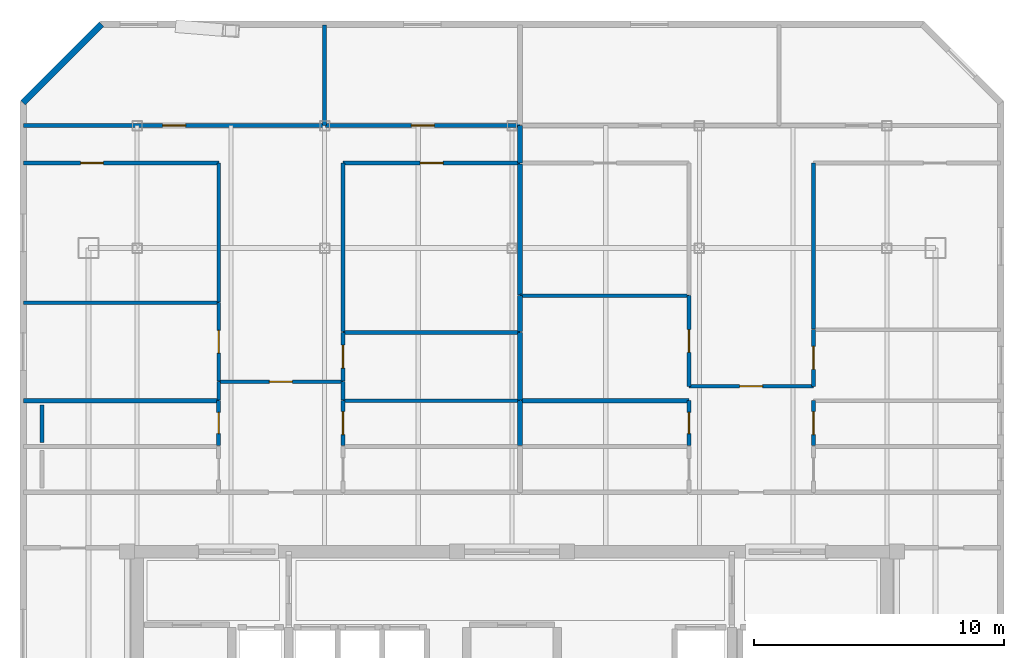
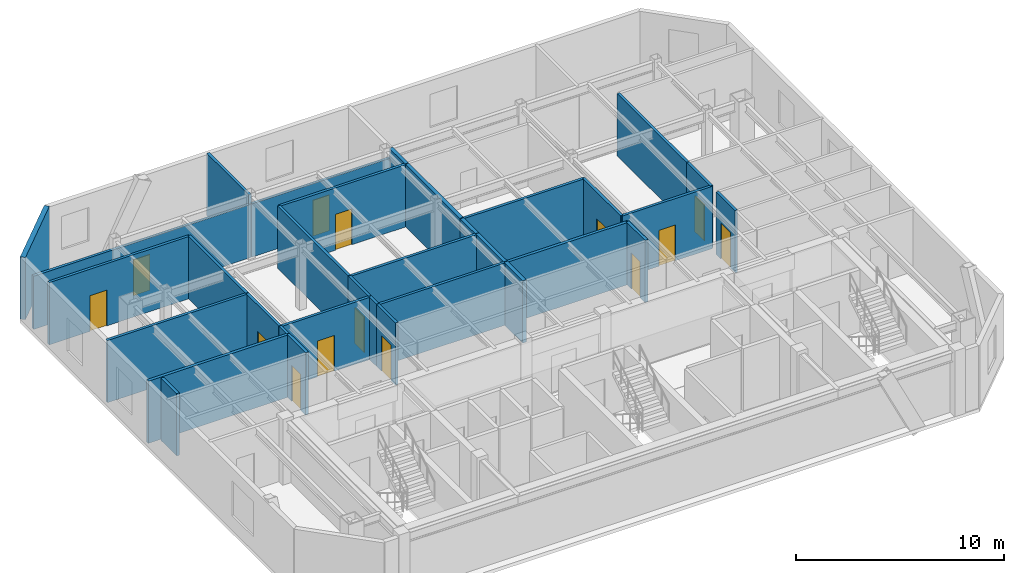
# One storey, part 4 of 7: 33 walls, 14 doors, 14 openings.
"""IFC4 building model written with IfcOpenShell, lengths in metres."""

from ifc_helpers import new_model, si_unit, direction, frame, frame_2d, origin, place, context, subcontext, project, spatial, rectangle, extrude, material, layer, layer_set, type_object, element, fill, save


model = new_model("IFC4")

# Units and contexts
model_context = context("Model", 3, precision=1e-05, world=origin(), true_north=direction((0.0, 1.0)))
body_context = subcontext(model_context, "Body", "Model", "MODEL_VIEW")
ifc_project = project(units=[si_unit("LENGTHUNIT", "METRE"), si_unit("AREAUNIT", "SQUARE_METRE"), si_unit("VOLUMEUNIT", "CUBIC_METRE"), si_unit("PLANEANGLEUNIT", "RADIAN"), si_unit("MASSUNIT", "GRAM", prefix="KILO")], contexts=[model_context])

# Site, building, storey
site_placement = place(None, origin())
site = spatial("IfcSite", under=ifc_project, at=site_placement, CompositionType="ELEMENT")
building_placement = place(site_placement, origin())
building = spatial("IfcBuilding", under=site, at=building_placement, Name="Ventersveld Concourse Tower", CompositionType="ELEMENT")
storey_placement = place(building_placement, frame((0.0, 0.0, 320.75)))
storey = spatial("IfcBuildingStorey", under=building, at=storey_placement, Name="L79", CompositionType="ELEMENT", Elevation=320.75)

# Walls
ifc_material_1 = material(Name="Fire-rated autoclaved aerated masonry blockwork", Category="masonry")
ifc_layer_1 = layer(ifc_material_1, 0.199951171875)
ifc_layer_set_1 = layer_set([ifc_layer_1], Name="Fire-rated autoclaved aerated masonry blockwork")
wall_type_1 = type_object("IfcWallType", Name="WL-DEMISE-200", PredefinedType="PARTITIONING", material=ifc_layer_set_1)
wall_1_placement = place(storey_placement, frame((29.072021484375, 26.9951171875, 0.0), z_axis=(0.0, 0.0, 1.0), x_axis=(0.0, 1.0, 0.0)))
element("IfcWall", 1, at=wall_1_placement, inside=storey, type_object=wall_type_1, Name="L79 Interior Partition SP-L79-79N1-LIV-SP-L79-79N2-LIV", PredefinedType="PARTITIONING", context=body_context, shape_type="SweptSolid", body=[
    extrude(rectangle(XDim=1.509765625, YDim=0.199951171875, at=frame_2d((0.7548828125, 0.0))), origin(), (0.0, 0.0, 1.0), 3.64990234375),
])
wall_2_placement = place(storey_placement, frame((29.072021484375, 15.695068359375, 0.0), z_axis=(0.0, 0.0, 1.0), x_axis=(0.0, 1.0, 0.0)))
element("IfcWall", 2, at=wall_2_placement, inside=storey, type_object=wall_type_1, Name="L79 Interior Partition SP-L79-79N1-PANR1-SP-L79-79N2-PWDL4", PredefinedType="PARTITIONING", context=body_context, shape_type="SweptSolid", body=[
    extrude(rectangle(XDim=1.800048828125, YDim=0.199951171875, at=frame_2d((0.89990234375, 0.0))), origin(), (0.0, 0.0, 1.0), 3.64990234375),
])
wall_3_placement = place(storey_placement, frame((29.072021484375, 17.52490234375, 0.0), z_axis=(0.0, 0.0, 1.0), x_axis=(0.0, 1.0, 0.0)))
element("IfcWall", 3, at=wall_3_placement, inside=storey, type_object=wall_type_1, Name="L79 Interior Partition SP-L79-79N1-SEMR3-SP-L79-79N2-OFFL0", PredefinedType="PARTITIONING", context=body_context, shape_type="SweptSolid", body=[
    extrude(rectangle(XDim=2.704345703125, YDim=0.199951171875, at=frame_2d((1.35205078125, 0.0))), origin(), (0.0, 0.0, 1.0), 3.64990234375),
])
wall_4_placement = place(storey_placement, frame((29.072021484375, 20.25927734375, 0.0), z_axis=(0.0, 0.0, 1.0), x_axis=(0.0, 1.0, 0.0)))
element("IfcWall", 4, at=wall_4_placement, inside=storey, type_object=wall_type_1, Name="L79 Interior Partition SP-L79-79N1-DENS2-SP-L79-79N2-OFFL0", PredefinedType="PARTITIONING", context=body_context, shape_type="SweptSolid", body=[
    extrude(rectangle(XDim=1.435791015625, YDim=0.199951171875, at=frame_2d((0.7177734375, 0.0))), origin(), (0.0, 0.0, 1.0), 3.64990234375),
])
wall_5_placement = place(storey_placement, frame((29.072021484375, 21.72509765625, 0.0), z_axis=(0.0, 0.0, 1.0), x_axis=(0.0, 1.0, 0.0)))
element("IfcWall", 5, at=wall_5_placement, inside=storey, type_object=wall_type_1, Name="L79 Interior Partition SP-L79-79N1-DENS2-SP-L79-79N2-MEDL2", PredefinedType="PARTITIONING", context=body_context, shape_type="SweptSolid", body=[
    extrude(rectangle(XDim=5.239990234375, YDim=0.199951171875, at=frame_2d((2.6201171875, 0.0))), origin(), (0.0, 0.0, 1.0), 3.64990234375),
])

# Wall, opening, door
ifc_material_2 = material(Name="Autoclaved aerated masonry blockwork", Category="masonry")
ifc_layer_2 = layer(ifc_material_2, 0.14990234375)
ifc_layer_set_2 = layer_set([ifc_layer_2], Name="Autoclaved aerated masonry blockwork")
wall_type_2 = type_object("IfcWallType", Name="WL-INT-150", PredefinedType="PARTITIONING", material=ifc_layer_set_2)
wall_6_placement = place(storey_placement, frame((17.007568359375, 18.248779296875, 0.0), z_axis=(0.0, 0.0, 1.0), x_axis=(1.0, 0.0, 0.0)))
wall_6 = element("IfcWall", 6, at=wall_6_placement, inside=storey, type_object=wall_type_2, Name="L79 Interior Partition SP-L79-79N1-FOY-SP-L79-79N1-LIV", PredefinedType="PARTITIONING", context=body_context, shape_type="SweptSolid", body=[
    extrude(rectangle(XDim=4.989990234375, YDim=0.14990234375, at=frame_2d((2.4951171875, 0.0))), origin(), (0.0, 0.0, 1.0), 3.64990234375),
])
opening_1_placement = place(wall_6_placement, frame((2.034912109375, 0.0, 0.0)))
opening_1 = element("IfcOpeningElement", 7, at=opening_1_placement, cuts=wall_6, Name="Opening ID1", PredefinedType="OPENING", context=body_context, shape_type="SweptSolid", body=[
    extrude(rectangle(XDim=0.919921875, YDim=2.10009765625, at=frame_2d((0.4599609375, 1.050048828125))), frame((0.0, 0.0849609375, 0.0), z_axis=(0.0, -1.0, 0.0), x_axis=(1.0, 0.0, 0.0)), (0.0, 0.0, 1.0), 0.169921875),
])
ifc_material_3 = material(Name="Solid-core hardwood veneer timber", Category="wood")
door_type_1 = type_object("IfcDoorType", Name="DR-ROOM-092", OperationType="NOTDEFINED", PredefinedType="DOOR", material=ifc_material_3)
door_1_placement = place(opening_1_placement, origin())
door_1 = element("IfcDoor", 8, at=door_1_placement, inside=storey, type_object=door_type_1, Name="L79 Interior Door SP-L79-79N1-FOY to SP-L79-79N1-LIV (D-L79-3606)", OperationType="SINGLE_SWING_RIGHT", OverallHeight=2.10009765625, OverallWidth=0.919921875, PredefinedType="DOOR", context=body_context, shape_type="SweptSolid", body=[
    extrude(rectangle(XDim=0.919921875, YDim=2.10009765625, at=frame_2d((0.4599609375, 1.050048828125))), frame((0.0, 0.02490234375, 0.0), z_axis=(0.0, -1.0, 0.0), x_axis=(1.0, 0.0, 0.0)), (0.0, 0.0, 1.0), 0.050048828125),
])
fill(opening_1, door_1)

# Wall
wall_7_placement = place(storey_placement, frame((17.0126953125, 17.52490234375, 0.0), z_axis=(0.0, 0.0, 1.0), x_axis=(0.0, 1.0, 0.0)))
element("IfcWall", 9, at=wall_7_placement, inside=storey, type_object=wall_type_2, Name="L79 Interior Partition SP-L79-79N1-FOY-SP-L79-79N1-OFFL0", PredefinedType="PARTITIONING", context=body_context, shape_type="SweptSolid", body=[
    extrude(rectangle(XDim=0.728759765625, YDim=0.14990234375, at=frame_2d((0.3642578125, 0.0))), origin(), (0.0, 0.0, 1.0), 3.64990234375),
])

# Wall, opening, door
wall_8_placement = place(storey_placement, frame((21.99267578125, 15.695068359375, 0.0), z_axis=(0.0, 0.0, 1.0), x_axis=(0.0, 1.0, 0.0)))
wall_8 = element("IfcWall", 10, at=wall_8_placement, inside=storey, type_object=wall_type_2, Name="L79 Interior Partition SP-L79-79N1-FOY-SP-L79-79N1-PANR1", PredefinedType="PARTITIONING", context=body_context, shape_type="SweptSolid", body=[
    extrude(rectangle(XDim=1.800048828125, YDim=0.14990234375, at=frame_2d((0.89990234375, 0.0))), origin(), (0.0, 0.0, 1.0), 3.64990234375),
])
opening_2_placement = place(wall_8_placement, frame((0.43994140625, 0.0, 0.0)))
opening_2 = element("IfcOpeningElement", 11, at=opening_2_placement, cuts=wall_8, Name="Opening ID1", PredefinedType="OPENING", context=body_context, shape_type="SweptSolid", body=[
    extrude(rectangle(XDim=0.919921875, YDim=2.10009765625, at=frame_2d((0.4599609375, 1.050048828125))), frame((0.0, 0.0849609375, 0.0), z_axis=(0.0, -1.0, 0.0), x_axis=(1.0, 0.0, 0.0)), (0.0, 0.0, 1.0), 0.169921875),
])
door_2_placement = place(opening_2_placement, origin())
door_2 = element("IfcDoor", 12, at=door_2_placement, inside=storey, type_object=door_type_1, Name="L79 Interior Door SP-L79-79N1-FOY to SP-L79-79N1-PANR1 (D-L79-3610)", OperationType="SINGLE_SWING_RIGHT", OverallHeight=2.10009765625, OverallWidth=0.919921875, PredefinedType="DOOR", context=body_context, shape_type="SweptSolid", body=[
    extrude(rectangle(XDim=0.919921875, YDim=2.10009765625, at=frame_2d((0.4599609375, 1.050048828125))), frame((0.0, 0.02490234375, 0.0), z_axis=(0.0, -1.0, 0.0), x_axis=(1.0, 0.0, 0.0)), (0.0, 0.0, 1.0), 0.050048828125),
])
fill(opening_2, door_2)

# Wall
wall_9_placement = place(storey_placement, frame((21.99267578125, 17.52490234375, 0.0), z_axis=(0.0, 0.0, 1.0), x_axis=(0.0, 1.0, 0.0)))
element("IfcWall", 13, at=wall_9_placement, inside=storey, type_object=wall_type_2, Name="L79 Interior Partition SP-L79-79N1-FOY-SP-L79-79N1-SEMR3", PredefinedType="PARTITIONING", context=body_context, shape_type="SweptSolid", body=[
    extrude(rectangle(XDim=0.728759765625, YDim=0.14990234375, at=frame_2d((0.3642578125, 0.0))), origin(), (0.0, 0.0, 1.0), 3.64990234375),
])

# Wall, opening, door
wall_10_placement = place(storey_placement, frame((17.0126953125, 18.28369140625, 0.0), z_axis=(0.0, 0.0, 1.0), x_axis=(0.0, 1.0, 0.0)))
wall_10 = element("IfcWall", 14, at=wall_10_placement, inside=storey, type_object=wall_type_2, Name="L79 Interior Partition SP-L79-79N1-LIV-SP-L79-79N1-OFFL0", PredefinedType="PARTITIONING", context=body_context, shape_type="SweptSolid", body=[
    extrude(rectangle(XDim=3.1337890625, YDim=0.14990234375, at=frame_2d((1.56689453125, 0.0))), origin(), (0.0, 0.0, 1.0), 3.64990234375),
])
opening_3_placement = place(wall_10_placement, frame((1.10693359375, 0.0, 0.0)))
opening_3 = element("IfcOpeningElement", 15, at=opening_3_placement, cuts=wall_10, Name="Opening ID1", PredefinedType="OPENING", context=body_context, shape_type="SweptSolid", body=[
    extrude(rectangle(XDim=0.919921875, YDim=2.10009765625, at=frame_2d((0.4599609375, 1.050048828125))), frame((0.0, 0.0849609375, 0.0), z_axis=(0.0, -1.0, 0.0), x_axis=(1.0, 0.0, 0.0)), (0.0, 0.0, 1.0), 0.169921875),
])
door_3_placement = place(opening_3_placement, origin())
door_3 = element("IfcDoor", 16, at=door_3_placement, inside=storey, type_object=door_type_1, Name="L79 Interior Door SP-L79-79N1-LIV to SP-L79-79N1-OFFL0 (D-L79-3611)", OperationType="SINGLE_SWING_LEFT", OverallHeight=2.10009765625, OverallWidth=0.919921875, PredefinedType="DOOR", context=body_context, shape_type="SweptSolid", body=[
    extrude(rectangle(XDim=0.919921875, YDim=2.10009765625, at=frame_2d((0.4599609375, 1.050048828125))), frame((0.0, 0.02490234375, 0.0), z_axis=(0.0, -1.0, 0.0), x_axis=(1.0, 0.0, 0.0)), (0.0, 0.0, 1.0), 0.050048828125),
])
fill(opening_3, door_3)

wall_11_placement = place(storey_placement, frame((9.213623046875, 27.0, 0.0), z_axis=(0.0, 0.0, 1.0), x_axis=(1.0, 0.0, 0.0)))
wall_11 = element("IfcWall", 17, at=wall_11_placement, inside=storey, type_object=wall_type_2, Name="L79 Interior Partition SP-L79-79N1-LIV-SP-L79-79N1-MEDL2", PredefinedType="PARTITIONING", context=body_context, shape_type="SweptSolid", body=[
    extrude(rectangle(XDim=7.803955078125, YDim=0.14990234375, at=frame_2d((3.90185546875, 0.0))), origin(), (0.0, 0.0, 1.0), 3.64990234375),
])
opening_4_placement = place(wall_11_placement, frame((2.271484375, 0.0, 0.0)))
opening_4 = element("IfcOpeningElement", 18, at=opening_4_placement, cuts=wall_11, Name="Opening ID1", PredefinedType="OPENING", context=body_context, shape_type="SweptSolid", body=[
    extrude(rectangle(XDim=0.919921875, YDim=2.10009765625, at=frame_2d((0.4599609375, 1.050048828125))), frame((0.0, 0.0849609375, 0.0), z_axis=(0.0, -1.0, 0.0), x_axis=(1.0, 0.0, 0.0)), (0.0, 0.0, 1.0), 0.169921875),
])
door_4_placement = place(opening_4_placement, origin())
door_4 = element("IfcDoor", 19, at=door_4_placement, inside=storey, type_object=door_type_1, Name="L79 Interior Door SP-L79-79N1-LIV to SP-L79-79N1-MEDL2 (D-L79-3612)", OperationType="SINGLE_SWING_RIGHT", OverallHeight=2.10009765625, OverallWidth=0.919921875, PredefinedType="DOOR", context=body_context, shape_type="SweptSolid", body=[
    extrude(rectangle(XDim=0.919921875, YDim=2.10009765625, at=frame_2d((0.4599609375, 1.050048828125))), frame((0.0, 0.02490234375, 0.0), z_axis=(0.0, -1.0, 0.0), x_axis=(1.0, 0.0, 0.0)), (0.0, 0.0, 1.0), 0.050048828125),
])
fill(opening_4, door_4)

# Wall
wall_12_placement = place(storey_placement, frame((17.0126953125, 21.447509765625, 0.0), z_axis=(0.0, 0.0, 1.0), x_axis=(0.0, 1.0, 0.0)))
element("IfcWall", 20, at=wall_12_placement, inside=storey, type_object=wall_type_2, Name="L79 Interior Partition SP-L79-79N1-LIV-SP-L79-79N1-MEDL2", PredefinedType="PARTITIONING", context=body_context, shape_type="SweptSolid", body=[
    extrude(rectangle(XDim=5.557373046875, YDim=0.14990234375, at=frame_2d((2.77880859375, 0.0))), origin(), (0.0, 0.0, 1.0), 3.64990234375),
])

# Wall, opening, door
wall_13_placement = place(storey_placement, frame((21.99267578125, 18.28369140625, 0.0), z_axis=(0.0, 0.0, 1.0), x_axis=(0.0, 1.0, 0.0)))
wall_13 = element("IfcWall", 21, at=wall_13_placement, inside=storey, type_object=wall_type_2, Name="L79 Interior Partition SP-L79-79N1-LIV-SP-L79-79N1-SEMR3", PredefinedType="PARTITIONING", context=body_context, shape_type="SweptSolid", body=[
    extrude(rectangle(XDim=1.945556640625, YDim=0.14990234375, at=frame_2d((0.97265625, 0.0))), origin(), (0.0, 0.0, 1.0), 3.64990234375),
])
opening_5_placement = place(wall_13_placement, frame((0.5126953125, 0.0, 0.0)))
opening_5 = element("IfcOpeningElement", 22, at=opening_5_placement, cuts=wall_13, Name="Opening ID1", PredefinedType="OPENING", context=body_context, shape_type="SweptSolid", body=[
    extrude(rectangle(XDim=0.919921875, YDim=2.10009765625, at=frame_2d((0.4599609375, 1.050048828125))), frame((0.0, 0.0849609375, 0.0), z_axis=(0.0, -1.0, 0.0), x_axis=(1.0, 0.0, 0.0)), (0.0, 0.0, 1.0), 0.169921875),
])
door_5_placement = place(opening_5_placement, origin())
door_5 = element("IfcDoor", 23, at=door_5_placement, inside=storey, type_object=door_type_1, Name="L79 Interior Door SP-L79-79N1-LIV to SP-L79-79N1-SEMR3 (D-L79-3613)", OperationType="SINGLE_SWING_LEFT", OverallHeight=2.10009765625, OverallWidth=0.919921875, PredefinedType="DOOR", context=body_context, shape_type="SweptSolid", body=[
    extrude(rectangle(XDim=0.919921875, YDim=2.10009765625, at=frame_2d((0.4599609375, 1.050048828125))), frame((0.0, 0.02490234375, 0.0), z_axis=(0.0, -1.0, 0.0), x_axis=(1.0, 0.0, 0.0)), (0.0, 0.0, 1.0), 0.050048828125),
])
fill(opening_5, door_5)

wall_14_placement = place(storey_placement, frame((21.987548828125, 27.0, 0.0), z_axis=(0.0, 0.0, 1.0), x_axis=(1.0, 0.0, 0.0)))
wall_14 = element("IfcWall", 24, at=wall_14_placement, inside=storey, type_object=wall_type_2, Name="L79 Interior Partition SP-L79-79N1-LIV-SP-L79-79N1-DENS2", PredefinedType="PARTITIONING", context=body_context, shape_type="SweptSolid", body=[
    extrude(rectangle(XDim=7.08935546875, YDim=0.14990234375, at=frame_2d((3.544677734375, 0.0))), origin(), (0.0, 0.0, 1.0), 3.64990234375),
])
opening_6_placement = place(wall_14_placement, frame((3.084716796875, 0.0, 0.0)))
opening_6 = element("IfcOpeningElement", 25, at=opening_6_placement, cuts=wall_14, Name="Opening ID1", PredefinedType="OPENING", context=body_context, shape_type="SweptSolid", body=[
    extrude(rectangle(XDim=0.919921875, YDim=2.10009765625, at=frame_2d((0.4599609375, 1.050048828125))), frame((0.0, 0.0849609375, 0.0), z_axis=(0.0, -1.0, 0.0), x_axis=(1.0, 0.0, 0.0)), (0.0, 0.0, 1.0), 0.169921875),
])
door_6_placement = place(opening_6_placement, origin())
door_6 = element("IfcDoor", 26, at=door_6_placement, inside=storey, type_object=door_type_1, Name="L79 Interior Door SP-L79-79N1-LIV to SP-L79-79N1-DENS2 (D-L79-3614)", OperationType="SINGLE_SWING_RIGHT", OverallHeight=2.10009765625, OverallWidth=0.919921875, PredefinedType="DOOR", context=body_context, shape_type="SweptSolid", body=[
    extrude(rectangle(XDim=0.919921875, YDim=2.10009765625, at=frame_2d((0.4599609375, 1.050048828125))), frame((0.0, 0.02490234375, 0.0), z_axis=(0.0, -1.0, 0.0), x_axis=(1.0, 0.0, 0.0)), (0.0, 0.0, 1.0), 0.050048828125),
])
fill(opening_6, door_6)

# Wall
wall_15_placement = place(storey_placement, frame((21.99267578125, 20.25927734375, 0.0), z_axis=(0.0, 0.0, 1.0), x_axis=(0.0, 1.0, 0.0)))
element("IfcWall", 27, at=wall_15_placement, inside=storey, type_object=wall_type_2, Name="L79 Interior Partition SP-L79-79N1-LIV-SP-L79-79N1-DENS2", PredefinedType="PARTITIONING", context=body_context, shape_type="SweptSolid", body=[
    extrude(rectangle(XDim=6.74560546875, YDim=0.14990234375, at=frame_2d((3.372802734375, 0.0))), origin(), (0.0, 0.0, 1.0), 3.64990234375),
])

# Wall, opening, door
wall_16_placement = place(storey_placement, frame((9.213623046875, 28.5, 0.0), z_axis=(0.0, 0.0, 1.0), x_axis=(1.0, 0.0, 0.0)))
wall_16 = element("IfcWall", 28, at=wall_16_placement, inside=storey, type_object=wall_type_2, Name="L79 Interior Partition SP-L79-79N1-LIV-SP-L79-79N1-BR1", PredefinedType="PARTITIONING", context=body_context, shape_type="SweptSolid", body=[
    extrude(rectangle(XDim=12.041259765625, YDim=0.14990234375, at=frame_2d((6.0205078125, 0.0))), origin(), (0.0, 0.0, 1.0), 3.116943359375),
])
opening_7_placement = place(wall_16_placement, frame((5.560791015625, 0.0, 0.0)))
opening_7 = element("IfcOpeningElement", 29, at=opening_7_placement, cuts=wall_16, Name="Opening ID1", PredefinedType="OPENING", context=body_context, shape_type="SweptSolid", body=[
    extrude(rectangle(XDim=0.919921875, YDim=2.10009765625, at=frame_2d((0.4599609375, 1.050048828125))), frame((0.0, 0.0849609375, 0.0), z_axis=(0.0, -1.0, 0.0), x_axis=(1.0, 0.0, 0.0)), (0.0, 0.0, 1.0), 0.169921875),
])
door_7_placement = place(opening_7_placement, origin())
door_7 = element("IfcDoor", 30, at=door_7_placement, inside=storey, type_object=door_type_1, Name="L79 Interior Door SP-L79-79N1-LIV to SP-L79-79N1-BR1 (D-L79-3615)", OperationType="SINGLE_SWING_LEFT", OverallHeight=2.10009765625, OverallWidth=0.919921875, PredefinedType="DOOR", context=body_context, shape_type="SweptSolid", body=[
    extrude(rectangle(XDim=0.919921875, YDim=2.10009765625, at=frame_2d((0.4599609375, 1.050048828125))), frame((0.0, 0.02490234375, 0.0), z_axis=(0.0, -1.0, 0.0), x_axis=(1.0, 0.0, 0.0)), (0.0, 0.0, 1.0), 0.050048828125),
])
fill(opening_7, door_7)

wall_17_placement = place(storey_placement, frame((21.284912109375, 28.5, 0.0), z_axis=(0.0, 0.0, 1.0), x_axis=(1.0, 0.0, 0.0)))
wall_17 = element("IfcWall", 31, at=wall_17_placement, inside=storey, type_object=wall_type_2, Name="L79 Interior Partition SP-L79-79N1-LIV-SP-L79-79N1-BR2", PredefinedType="PARTITIONING", context=body_context, shape_type="SweptSolid", body=[
    extrude(rectangle(XDim=7.7919921875, YDim=0.14990234375, at=frame_2d((3.89599609375, 0.0))), origin(), (0.0, 0.0, 1.0), 3.116943359375),
])
opening_8_placement = place(wall_17_placement, frame((3.435791015625, 0.0, 0.0)))
opening_8 = element("IfcOpeningElement", 32, at=opening_8_placement, cuts=wall_17, Name="Opening ID1", PredefinedType="OPENING", context=body_context, shape_type="SweptSolid", body=[
    extrude(rectangle(XDim=0.919921875, YDim=2.10009765625, at=frame_2d((0.4599609375, 1.050048828125))), frame((0.0, 0.0849609375, 0.0), z_axis=(0.0, -1.0, 0.0), x_axis=(1.0, 0.0, 0.0)), (0.0, 0.0, 1.0), 0.169921875),
])
door_8_placement = place(opening_8_placement, origin())
door_8 = element("IfcDoor", 33, at=door_8_placement, inside=storey, type_object=door_type_1, Name="L79 Interior Door SP-L79-79N1-LIV to SP-L79-79N1-BR2 (D-L79-3616)", OperationType="SINGLE_SWING_RIGHT", OverallHeight=2.10009765625, OverallWidth=0.919921875, PredefinedType="DOOR", context=body_context, shape_type="SweptSolid", body=[
    extrude(rectangle(XDim=0.919921875, YDim=2.10009765625, at=frame_2d((0.4599609375, 1.050048828125))), frame((0.0, 0.02490234375, 0.0), z_axis=(0.0, -1.0, 0.0), x_axis=(1.0, 0.0, 0.0)), (0.0, 0.0, 1.0), 0.050048828125),
])
fill(opening_8, door_8)

# Walls
wall_18_placement = place(storey_placement, frame((9.213623046875, 21.41259765625, 0.0), z_axis=(0.0, 0.0, 1.0), x_axis=(1.0, 0.0, 0.0)))
element("IfcWall", 34, at=wall_18_placement, inside=storey, type_object=wall_type_2, Name="L79 Interior Partition SP-L79-79N1-OFFL0-SP-L79-79N1-MEDL2", PredefinedType="PARTITIONING", context=body_context, shape_type="SweptSolid", body=[
    extrude(rectangle(XDim=7.803955078125, YDim=0.14990234375, at=frame_2d((3.90185546875, 0.0))), origin(), (0.0, 0.0, 1.0), 3.64990234375),
])
for number, where, z_axis, x_axis, name in (
    (35, (21.987548828125, 17.489990234375, 0.0), (0.0, 0.0, 1.0), (1.0, 0.0, 0.0), "L79 Interior Partition SP-L79-79N1-PANR1-SP-L79-79N1-SEMR3"),
    (36, (21.987548828125, 20.22412109375, 0.0), (0.0, 0.0, 1.0), (1.0, 0.0, 0.0), "L79 Interior Partition SP-L79-79N1-SEMR3-SP-L79-79N1-DENS2"),
):
    element("IfcWall", number, at=place(storey_placement, frame(where, z_axis=z_axis, x_axis=x_axis)), inside=storey, type_object=wall_type_2, Name=name, PredefinedType="PARTITIONING", context=body_context, shape_type="SweptSolid", body=[
        extrude(rectangle(XDim=7.08935546875, YDim=0.14990234375, at=frame_2d((3.544677734375, 0.0))), origin(), (0.0, 0.0, 1.0), 3.64990234375),
    ])
wall_19_placement = place(storey_placement, frame((21.25, 28.4951171875, 0.0), z_axis=(0.0, 0.0, 1.0), x_axis=(0.0, 1.0, 0.0)))
element("IfcWall", 37, at=wall_19_placement, inside=storey, type_object=wall_type_2, Name="L79 Interior Partition SP-L79-79N1-BR1-SP-L79-79N1-BR2", PredefinedType="PARTITIONING", context=body_context, shape_type="SweptSolid", body=[
    extrude(rectangle(XDim=4.03173828125, YDim=0.14990234375, at=frame_2d((2.015869140625, 0.0))), origin(), (0.0, 0.0, 1.0), 3.64990234375),
])

# Wall, opening, door
wall_20_placement = place(storey_placement, frame((35.82568359375, 18.07177734375, 0.0), z_axis=(0.0, 0.0, 1.0), x_axis=(1.0, 0.0, 0.0)))
wall_20 = element("IfcWall", 38, at=wall_20_placement, inside=storey, type_object=wall_type_2, Name="L79 Interior Partition SP-L79-79N2-FOY-SP-L79-79N2-LIV", PredefinedType="PARTITIONING", context=body_context, shape_type="SweptSolid", body=[
    extrude(rectangle(XDim=4.989990234375, YDim=0.14990234375, at=frame_2d((2.4951171875, 0.0))), origin(), (0.0, 0.0, 1.0), 3.64990234375),
])
opening_9_placement = place(wall_20_placement, frame((2.034912109375, 0.0, 0.0)))
opening_9 = element("IfcOpeningElement", 39, at=opening_9_placement, cuts=wall_20, Name="Opening ID1", PredefinedType="OPENING", context=body_context, shape_type="SweptSolid", body=[
    extrude(rectangle(XDim=0.919921875, YDim=2.10009765625, at=frame_2d((0.4599609375, 1.050048828125))), frame((0.0, 0.0849609375, 0.0), z_axis=(0.0, -1.0, 0.0), x_axis=(1.0, 0.0, 0.0)), (0.0, 0.0, 1.0), 0.169921875),
])
door_9_placement = place(opening_9_placement, origin())
door_9 = element("IfcDoor", 40, at=door_9_placement, inside=storey, type_object=door_type_1, Name="L79 Interior Door SP-L79-79N2-FOY to SP-L79-79N2-LIV (D-L79-3617)", OperationType="SINGLE_SWING_LEFT", OverallHeight=2.10009765625, OverallWidth=0.919921875, PredefinedType="DOOR", context=body_context, shape_type="SweptSolid", body=[
    extrude(rectangle(XDim=0.919921875, YDim=2.10009765625, at=frame_2d((0.4599609375, 1.050048828125))), frame((0.0, 0.02490234375, 0.0), z_axis=(0.0, -1.0, 0.0), x_axis=(1.0, 0.0, 0.0)), (0.0, 0.0, 1.0), 0.050048828125),
])
fill(opening_9, door_9)

wall_21_placement = place(storey_placement, frame((40.810546875, 15.695068359375, 0.0), z_axis=(0.0, 0.0, 1.0), x_axis=(0.0, 1.0, 0.0)))
wall_21 = element("IfcWall", 41, at=wall_21_placement, inside=storey, type_object=wall_type_2, Name="L79 Interior Partition SP-L79-79N2-FOY-SP-L79-79N2-PANR1", PredefinedType="PARTITIONING", context=body_context, shape_type="SweptSolid", body=[
    extrude(rectangle(XDim=1.800048828125, YDim=0.14990234375, at=frame_2d((0.89990234375, 0.0))), origin(), (0.0, 0.0, 1.0), 3.64990234375),
])
opening_10_placement = place(wall_21_placement, frame((0.43994140625, 0.0, 0.0)))
opening_10 = element("IfcOpeningElement", 42, at=opening_10_placement, cuts=wall_21, Name="Opening ID1", PredefinedType="OPENING", context=body_context, shape_type="SweptSolid", body=[
    extrude(rectangle(XDim=0.919921875, YDim=2.10009765625, at=frame_2d((0.4599609375, 1.050048828125))), frame((0.0, 0.0849609375, 0.0), z_axis=(0.0, -1.0, 0.0), x_axis=(1.0, 0.0, 0.0)), (0.0, 0.0, 1.0), 0.169921875),
])
door_10_placement = place(opening_10_placement, origin())
door_10 = element("IfcDoor", 43, at=door_10_placement, inside=storey, type_object=door_type_1, Name="L79 Interior Door SP-L79-79N2-FOY to SP-L79-79N2-PANR1 (D-L79-3621)", OperationType="SINGLE_SWING_LEFT", OverallHeight=2.10009765625, OverallWidth=0.919921875, PredefinedType="DOOR", context=body_context, shape_type="SweptSolid", body=[
    extrude(rectangle(XDim=0.919921875, YDim=2.10009765625, at=frame_2d((0.4599609375, 1.050048828125))), frame((0.0, 0.02490234375, 0.0), z_axis=(0.0, -1.0, 0.0), x_axis=(1.0, 0.0, 0.0)), (0.0, 0.0, 1.0), 0.050048828125),
])
fill(opening_10, door_10)

wall_22_placement = place(storey_placement, frame((35.83056640625, 18.066650390625, 0.0), z_axis=(0.0, 0.0, 1.0), x_axis=(0.0, 1.0, 0.0)))
wall_22 = element("IfcWall", 44, at=wall_22_placement, inside=storey, type_object=wall_type_2, Name="L79 Interior Partition SP-L79-79N2-LIV-SP-L79-79N2-OFFL0", PredefinedType="PARTITIONING", context=body_context, shape_type="SweptSolid", body=[
    extrude(rectangle(XDim=3.62841796875, YDim=0.14990234375, at=frame_2d((1.814208984375, 0.0))), origin(), (0.0, 0.0, 1.0), 3.64990234375),
])
opening_11_placement = place(wall_22_placement, frame((1.35400390625, 0.0, 0.0)))
opening_11 = element("IfcOpeningElement", 45, at=opening_11_placement, cuts=wall_22, Name="Opening ID1", PredefinedType="OPENING", context=body_context, shape_type="SweptSolid", body=[
    extrude(rectangle(XDim=0.919921875, YDim=2.10009765625, at=frame_2d((0.4599609375, 1.050048828125))), frame((0.0, 0.0849609375, 0.0), z_axis=(0.0, -1.0, 0.0), x_axis=(1.0, 0.0, 0.0)), (0.0, 0.0, 1.0), 0.169921875),
])
door_11_placement = place(opening_11_placement, origin())
door_11 = element("IfcDoor", 46, at=door_11_placement, inside=storey, type_object=door_type_1, Name="L79 Interior Door SP-L79-79N2-LIV to SP-L79-79N2-OFFL0 (D-L79-3622)", OperationType="SINGLE_SWING_RIGHT", OverallHeight=2.10009765625, OverallWidth=0.919921875, PredefinedType="DOOR", context=body_context, shape_type="SweptSolid", body=[
    extrude(rectangle(XDim=0.919921875, YDim=2.10009765625, at=frame_2d((0.4599609375, 1.050048828125))), frame((0.0, 0.02490234375, 0.0), z_axis=(0.0, -1.0, 0.0), x_axis=(1.0, 0.0, 0.0)), (0.0, 0.0, 1.0), 0.050048828125),
])
fill(opening_11, door_11)

wall_23_placement = place(storey_placement, frame((40.810546875, 18.066650390625, 0.0), z_axis=(0.0, 0.0, 1.0), x_axis=(0.0, 1.0, 0.0)))
wall_23 = element("IfcWall", 47, at=wall_23_placement, inside=storey, type_object=wall_type_2, Name="L79 Interior Partition SP-L79-79N2-LIV-SP-L79-79N2-SEMR3", PredefinedType="PARTITIONING", context=body_context, shape_type="SweptSolid", body=[
    extrude(rectangle(XDim=2.270263671875, YDim=0.14990234375, at=frame_2d((1.13525390625, 0.0))), origin(), (0.0, 0.0, 1.0), 3.64990234375),
])
opening_12_placement = place(wall_23_placement, frame((0.675048828125, 0.0, 0.0)))
opening_12 = element("IfcOpeningElement", 48, at=opening_12_placement, cuts=wall_23, Name="Opening ID1", PredefinedType="OPENING", context=body_context, shape_type="SweptSolid", body=[
    extrude(rectangle(XDim=0.919921875, YDim=2.10009765625, at=frame_2d((0.4599609375, 1.050048828125))), frame((0.0, 0.0849609375, 0.0), z_axis=(0.0, -1.0, 0.0), x_axis=(1.0, 0.0, 0.0)), (0.0, 0.0, 1.0), 0.169921875),
])
door_12_placement = place(opening_12_placement, origin())
door_12 = element("IfcDoor", 49, at=door_12_placement, inside=storey, type_object=door_type_1, Name="L79 Interior Door SP-L79-79N2-LIV to SP-L79-79N2-SEMR3 (D-L79-3624)", OperationType="SINGLE_SWING_RIGHT", OverallHeight=2.10009765625, OverallWidth=0.919921875, PredefinedType="DOOR", context=body_context, shape_type="SweptSolid", body=[
    extrude(rectangle(XDim=0.919921875, YDim=2.10009765625, at=frame_2d((0.4599609375, 1.050048828125))), frame((0.0, 0.02490234375, 0.0), z_axis=(0.0, -1.0, 0.0), x_axis=(1.0, 0.0, 0.0)), (0.0, 0.0, 1.0), 0.050048828125),
])
fill(opening_12, door_12)

# Walls
wall_24_placement = place(storey_placement, frame((40.810546875, 20.366943359375, 0.0), z_axis=(0.0, 0.0, 1.0), x_axis=(0.0, 1.0, 0.0)))
element("IfcWall", 50, at=wall_24_placement, inside=storey, type_object=wall_type_2, Name="L79 Interior Partition SP-L79-79N2-LIV-SP-L79-79N2-DENS2", PredefinedType="PARTITIONING", context=body_context, shape_type="SweptSolid", body=[
    extrude(rectangle(XDim=6.637939453125, YDim=0.14990234375, at=frame_2d((3.31884765625, 0.0))), origin(), (0.0, 0.0, 1.0), 3.64990234375),
])
wall_25_placement = place(storey_placement, frame((29.06689453125, 21.68994140625, 0.0), z_axis=(0.0, 0.0, 1.0), x_axis=(1.0, 0.0, 0.0)))
element("IfcWall", 51, at=wall_25_placement, inside=storey, type_object=wall_type_2, Name="L79 Interior Partition SP-L79-79N2-OFFL0-SP-L79-79N2-MEDL2", PredefinedType="PARTITIONING", context=body_context, shape_type="SweptSolid", body=[
    extrude(rectangle(XDim=6.768798828125, YDim=0.14990234375, at=frame_2d((3.38427734375, 0.0))), origin(), (0.0, 0.0, 1.0), 3.64990234375),
])
ifc_material_4 = material(Name="Precast concrete C45/55", Category="concrete")
ifc_layer_3 = layer(ifc_material_4, 0.260009765625)
ifc_layer_set_3 = layer_set([ifc_layer_3], Name="Precast concrete C45/55")
wall_type_3 = type_object("IfcWallType", Name="WL-PREC-260", PredefinedType="SOLIDWALL", material=ifc_layer_set_3)
wall_26_placement = place(storey_placement, frame((12.32763671875, 32.55615234375, 0.0), z_axis=(0.0, 0.0, 1.0), x_axis=(-0.707079321262, -0.707134240044, 0.0)))
element("IfcWall", 52, at=wall_26_placement, inside=storey, type_object=wall_type_3, Name="L79 Highveld Precast Facade Wall E06", PredefinedType="SOLIDWALL", context=body_context, shape_type="SweptSolid", body=[
    extrude(rectangle(XDim=4.445556640625, YDim=0.260009765625, at=frame_2d((2.22265625, 0.0))), origin(), (0.0, 0.0, 1.0), 3.64990234375),
])

# Wall, opening, door
ifc_layer_4 = layer(ifc_material_2, 0.1650390625)
ifc_layer_set_4 = layer_set([ifc_layer_4], Name="Autoclaved aerated masonry blockwork")
wall_type_4 = type_object("IfcWallType", Name="WL-WET-165", PredefinedType="PLUMBINGWALL", material=ifc_layer_set_4)
wall_27_placement = place(storey_placement, frame((17.0126953125, 15.695068359375, 0.0), z_axis=(0.0, 0.0, 1.0), x_axis=(0.0, 1.0, 0.0)))
wall_27 = element("IfcWall", 53, at=wall_27_placement, inside=storey, type_object=wall_type_4, Name="L79 Interior Partition SP-L79-79N1-FOY-SP-L79-79N1-PWDL4", PredefinedType="PLUMBINGWALL", context=body_context, shape_type="SweptSolid", body=[
    extrude(rectangle(XDim=1.800048828125, YDim=0.1650390625, at=frame_2d((0.89990234375, 0.0))), origin(), (0.0, 0.0, 1.0), 3.64990234375),
])
opening_13_placement = place(wall_27_placement, frame((0.47509765625, 0.0, 0.0)))
opening_13 = element("IfcOpeningElement", 54, at=opening_13_placement, cuts=wall_27, Name="Opening ID2", PredefinedType="OPENING", context=body_context, shape_type="SweptSolid", body=[
    extrude(rectangle(XDim=0.85009765625, YDim=2.10009765625, at=frame_2d((0.425048828125, 1.050048828125))), frame((0.0, 0.092529296875, 0.0), z_axis=(0.0, -1.0, 0.0), x_axis=(1.0, 0.0, 0.0)), (0.0, 0.0, 1.0), 0.18505859375),
])
door_type_2 = type_object("IfcDoorType", Name="DR-BATH-085", OperationType="NOTDEFINED", PredefinedType="DOOR", material=ifc_material_3)
door_13_placement = place(opening_13_placement, origin())
door_13 = element("IfcDoor", 55, at=door_13_placement, inside=storey, type_object=door_type_2, Name="L79 Interior Door SP-L79-79N1-FOY to SP-L79-79N1-PWDL4 (D-L79-3608)", OperationType="SINGLE_SWING_RIGHT", OverallHeight=2.10009765625, OverallWidth=0.85009765625, PredefinedType="DOOR", context=body_context, shape_type="SweptSolid", body=[
    extrude(rectangle(XDim=0.85009765625, YDim=2.10009765625, at=frame_2d((0.425048828125, 1.050048828125))), frame((0.0, 0.02490234375, 0.0), z_axis=(0.0, -1.0, 0.0), x_axis=(1.0, 0.0, 0.0)), (0.0, 0.0, 1.0), 0.050048828125),
])
fill(opening_13, door_13)

# Wall
wall_28_placement = place(storey_placement, frame((9.213623046875, 17.489990234375, 0.0), z_axis=(0.0, 0.0, 1.0), x_axis=(1.0, 0.0, 0.0)))
element("IfcWall", 56, at=wall_28_placement, inside=storey, type_object=wall_type_4, Name="L79 Interior Partition SP-L79-79N1-PWDL4-SP-L79-79N1-OFFL0", PredefinedType="PLUMBINGWALL", context=body_context, shape_type="SweptSolid", body=[
    extrude(rectangle(XDim=7.803955078125, YDim=0.1650390625, at=frame_2d((3.90185546875, 0.0))), origin(), (0.0, 0.0, 1.0), 3.64990234375),
])

# Wall, opening, door
wall_29_placement = place(storey_placement, frame((35.83056640625, 15.695068359375, 0.0), z_axis=(0.0, 0.0, 1.0), x_axis=(0.0, 1.0, 0.0)))
wall_29 = element("IfcWall", 57, at=wall_29_placement, inside=storey, type_object=wall_type_4, Name="L79 Interior Partition SP-L79-79N2-FOY-SP-L79-79N2-PWDL4", PredefinedType="PLUMBINGWALL", context=body_context, shape_type="SweptSolid", body=[
    extrude(rectangle(XDim=1.800048828125, YDim=0.1650390625, at=frame_2d((0.89990234375, 0.0))), origin(), (0.0, 0.0, 1.0), 3.64990234375),
])
opening_14_placement = place(wall_29_placement, frame((0.47509765625, 0.0, 0.0)))
opening_14 = element("IfcOpeningElement", 58, at=opening_14_placement, cuts=wall_29, Name="Opening ID2", PredefinedType="OPENING", context=body_context, shape_type="SweptSolid", body=[
    extrude(rectangle(XDim=0.85009765625, YDim=2.10009765625, at=frame_2d((0.425048828125, 1.050048828125))), frame((0.0, 0.092529296875, 0.0), z_axis=(0.0, -1.0, 0.0), x_axis=(1.0, 0.0, 0.0)), (0.0, 0.0, 1.0), 0.18505859375),
])
door_14_placement = place(opening_14_placement, origin())
door_14 = element("IfcDoor", 59, at=door_14_placement, inside=storey, type_object=door_type_2, Name="L79 Interior Door SP-L79-79N2-FOY to SP-L79-79N2-PWDL4 (D-L79-3619)", OperationType="SINGLE_SWING_LEFT", OverallHeight=2.10009765625, OverallWidth=0.85009765625, PredefinedType="DOOR", context=body_context, shape_type="SweptSolid", body=[
    extrude(rectangle(XDim=0.85009765625, YDim=2.10009765625, at=frame_2d((0.425048828125, 1.050048828125))), frame((0.0, 0.02490234375, 0.0), z_axis=(0.0, -1.0, 0.0), x_axis=(1.0, 0.0, 0.0)), (0.0, 0.0, 1.0), 0.050048828125),
])
fill(opening_14, door_14)

# Walls
wall_30_placement = place(storey_placement, frame((29.10693359375, 17.489990234375, 0.0), z_axis=(0.0, 0.0, 1.0), x_axis=(1.0, 0.0, 0.0)))
element("IfcWall", 60, at=wall_30_placement, inside=storey, type_object=wall_type_4, Name="L79 Interior Partition SP-L79-79N2-PWDL4-SP-L79-79N2-OFFL0", PredefinedType="PLUMBINGWALL", context=body_context, shape_type="SweptSolid", body=[
    extrude(rectangle(XDim=6.728759765625, YDim=0.1650390625, at=frame_2d((3.3642578125, 0.0))), origin(), (0.0, 0.0, 1.0), 3.64990234375),
])
wall_31_placement = place(storey_placement, frame((9.944091796875, 15.824951171875, 0.0), z_axis=(0.0, 0.0, 1.0), x_axis=(0.0, 1.0, 0.0)))
element("IfcWall", 61, at=wall_31_placement, inside=storey, type_object=wall_type_4, Name="L79 Room Enclosure Wall SP-L79-79N1-PWDL4", PredefinedType="PLUMBINGWALL", context=body_context, shape_type="SweptSolid", body=[
    extrude(rectangle(XDim=1.5, YDim=0.1650390625, at=frame_2d((0.75, 0.0))), origin(), (0.0, 0.0, 1.0), 3.64990234375),
])

save(model, "model.ifc")
